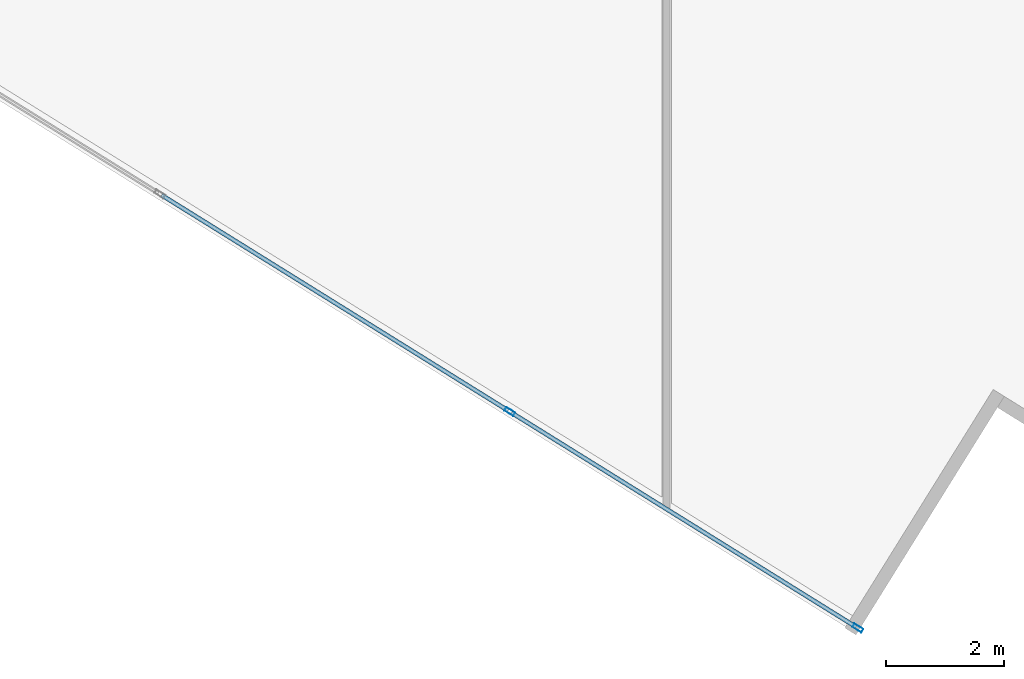
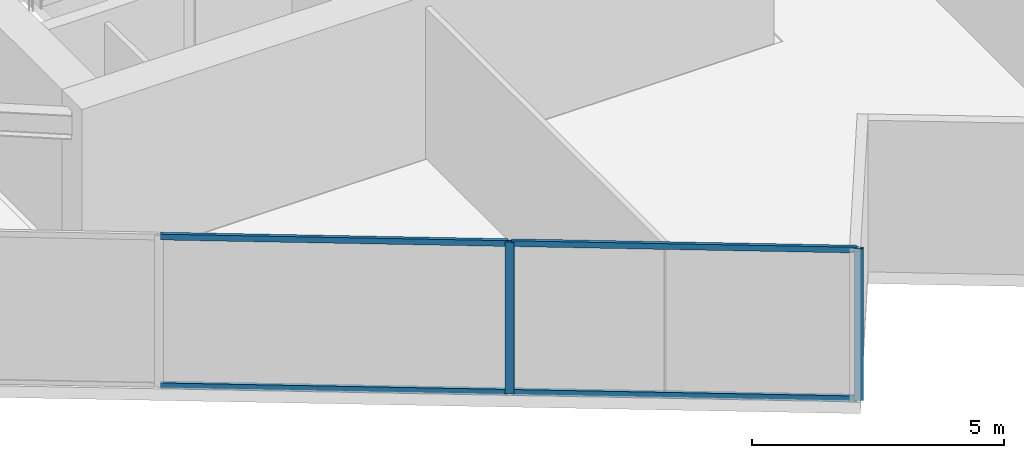
# One storey, part 3 of 26: 6 members, 1 element without a shape of its own.
"""IFC4 building model written with IfcOpenShell, lengths in metres."""

from ifc_helpers import new_model, si_unit, direction, frame, origin, origin_2d, place, context, subcontext, project, spatial, hollow_rectangle, extrude, source, transform, mapped, material, material_profile, profile_set, type_object, type_shapes, element, aggregate, save


model = new_model("IFC4")

# Units and contexts
model_context = context("Model", 3, precision=1e-05, world=origin(), true_north=direction((0.0, 1.0)))
body_context = subcontext(model_context, "Body", "Model", "MODEL_VIEW")
ifc_project = project(units=[si_unit("LENGTHUNIT", "METRE"), si_unit("AREAUNIT", "SQUARE_METRE"), si_unit("VOLUMEUNIT", "CUBIC_METRE"), si_unit("PLANEANGLEUNIT", "RADIAN"), si_unit("MASSUNIT", "GRAM", prefix="KILO")], contexts=[model_context])

# Site, building, storey
site_placement = place(None, origin())
site = spatial("IfcSite", under=ifc_project, at=site_placement, CompositionType="ELEMENT")
building_placement = place(site_placement, origin())
building = spatial("IfcBuilding", under=site, at=building_placement, Name="Krantzveldt Concourse Tower", CompositionType="ELEMENT")
storey_placement = place(building_placement, frame((0.0, 0.0, 173.85009765625)))
storey = spatial("IfcBuildingStorey", under=building, at=storey_placement, Name="L42", CompositionType="ELEMENT", Elevation=173.85009765625)

# Curtain wall, members
ifc_material = material(Name="Anodised aluminium 6063-T6", Category="aluminium")
curtain_wall_type = type_object("IfcCurtainWallType", Name="CW3", PredefinedType="USERDEFINED", material=ifc_material)
curtain_wall_placement = place(storey_placement, origin())
curtain_wall = element("IfcCurtainWall", 1, at=curtain_wall_placement, inside=storey, type_object=curtain_wall_type, Name="CW-L42-F04", ObjectType="UNITISED CURTAIN WALL", PredefinedType="USERDEFINED")
ifc_material_profile_1 = material_profile(ifc_material, hollow_rectangle(XDim=0.070068359375, YDim=0.179931640625, WallThickness=0.0048828125, at=origin_2d()), Name="Anodised aluminium 6063-T6", Category="aluminium")
ifc_profile_set_1 = profile_set([ifc_material_profile_1], Name="Anodised aluminium 6063-T6 - ALU-MULL 180x70x5")
member_type_1 = type_object("IfcMemberType", Name="CW-MUL-180", PredefinedType="MULLION", material=ifc_profile_set_1)
shared_shape_1 = source(origin(), body_context, "Body", "SweptSolid", [
    extrude(hollow_rectangle(XDim=0.070068359375, YDim=0.179931640625, WallThickness=0.0048828125, at=origin_2d()), origin(), (0.0, 0.0, 1.0), 3.669921875),
])
type_shapes(member_type_1, [shared_shape_1])
member_1_placement = place(storey_placement, frame((33.3486328125, 2.665771484375, 0.0), z_axis=(0.0, 0.0, 1.0), x_axis=(0.528067901977, 0.84920214961, 0.0)))
member_1 = element("IfcMember", 2, at=member_1_placement, type_object=member_type_1, Name="CW-Z34 mullion 5", PredefinedType="MULLION", context=body_context, shape_type="MappedRepresentation", body=[
    mapped(shared_shape_1, transform((0.0, 0.0, 0.0), x_axis=(1.0, 0.0, 0.0), y_axis=(0.0, 1.0, 0.0), z_axis=(0.0, 0.0, 1.0), scale=1.0)),
])
member_2_placement = place(storey_placement, frame((39.229248046875, -0.990966796875, 0.0), z_axis=(0.0, 0.0, 1.0), x_axis=(0.528067901977, 0.84920214961, 0.0)))
member_2 = element("IfcMember", 3, at=member_2_placement, type_object=member_type_1, Name="CW-Z34 mullion 6", PredefinedType="MULLION", context=body_context, shape_type="MappedRepresentation", body=[
    mapped(shared_shape_1, transform((0.0, 0.0, 0.0), x_axis=(1.0, 0.0, 0.0), y_axis=(0.0, 1.0, 0.0), z_axis=(0.0, 0.0, 1.0), scale=1.0)),
])
ifc_material_profile_2 = material_profile(ifc_material, hollow_rectangle(XDim=0.070068359375, YDim=0.139892578125, WallThickness=0.0048828125, at=origin_2d()), Name="Anodised aluminium 6063-T6", Category="aluminium")
ifc_profile_set_2 = profile_set([ifc_material_profile_2], Name="Anodised aluminium 6063-T6 - ALU-TRAN 140x70x5")
member_type_2 = type_object("IfcMemberType", Name="CW-TRN-150", PredefinedType="USERDEFINED", material=ifc_profile_set_2)
shared_shape_2 = source(origin(), body_context, "Body", "SweptSolid", [
    extrude(hollow_rectangle(XDim=0.070068359375, YDim=0.139892578125, WallThickness=0.0048828125, at=origin_2d()), origin(), (0.0, 0.0, 1.0), 6.85498046875),
])
member_3_placement = place(storey_placement, frame((33.378173828125, 2.6474609375, 0.034912109375), z_axis=(0.849204609246, -0.52806394654, 0.0), x_axis=(0.52806394654, 0.849204609246, 0.0)))
member_3 = element("IfcMember", 4, at=member_3_placement, type_object=member_type_2, Name="CW-Z34 transom 5.1", ObjectType="TRANSOM", PredefinedType="USERDEFINED", context=body_context, shape_type="MappedRepresentation", body=[
    mapped(shared_shape_2, transform((0.0, 0.0, 0.0), x_axis=(1.0, 0.0, 0.0), y_axis=(0.0, 1.0, 0.0), z_axis=(0.0, 0.0, 1.0), scale=1.0)),
])
member_4_placement = place(storey_placement, frame((33.378173828125, 2.6474609375, 3.635009765625), z_axis=(0.849204609246, -0.52806394654, 0.0), x_axis=(0.52806394654, 0.849204609246, 0.0)))
member_4 = element("IfcMember", 5, at=member_4_placement, type_object=member_type_2, Name="CW-Z34 transom 5.2", ObjectType="TRANSOM", PredefinedType="USERDEFINED", context=body_context, shape_type="MappedRepresentation", body=[
    mapped(shared_shape_2, transform((0.0, 0.0, 0.0), x_axis=(1.0, 0.0, 0.0), y_axis=(0.0, 1.0, 0.0), z_axis=(0.0, 0.0, 1.0), scale=1.0)),
])
shared_shape_3 = source(origin(), body_context, "Body", "SweptSolid", [
    extrude(hollow_rectangle(XDim=0.070068359375, YDim=0.139892578125, WallThickness=0.0048828125, at=origin_2d()), origin(), (0.0, 0.0, 1.0), 6.89013671875),
])
type_shapes(member_type_2, [shared_shape_2, shared_shape_3])
member_5_placement = place(storey_placement, frame((27.4677734375, 6.32275390625, 0.034912109375), z_axis=(0.849202443437, -0.528067429464, 0.0), x_axis=(0.528067429464, 0.849202443437, 0.0)))
member_5 = element("IfcMember", 6, at=member_5_placement, type_object=member_type_2, Name="CW-Z34 transom 4.1", ObjectType="TRANSOM", PredefinedType="USERDEFINED", context=body_context, shape_type="MappedRepresentation", body=[
    mapped(shared_shape_3, transform((0.0, 0.0, 0.0), x_axis=(1.0, 0.0, 0.0), y_axis=(0.0, 1.0, 0.0), z_axis=(0.0, 0.0, 1.0), scale=1.0)),
])
member_6_placement = place(storey_placement, frame((27.4677734375, 6.32275390625, 3.635009765625), z_axis=(0.849202443437, -0.528067429464, 0.0), x_axis=(0.528067429464, 0.849202443437, 0.0)))
member_6 = element("IfcMember", 7, at=member_6_placement, type_object=member_type_2, Name="CW-Z34 transom 4.2", ObjectType="TRANSOM", PredefinedType="USERDEFINED", context=body_context, shape_type="MappedRepresentation", body=[
    mapped(shared_shape_3, transform((0.0, 0.0, 0.0), x_axis=(1.0, 0.0, 0.0), y_axis=(0.0, 1.0, 0.0), z_axis=(0.0, 0.0, 1.0), scale=1.0)),
])
aggregate(curtain_wall, [member_1, member_2, member_5, member_6, member_3, member_4])

save(model, "model.ifc")
